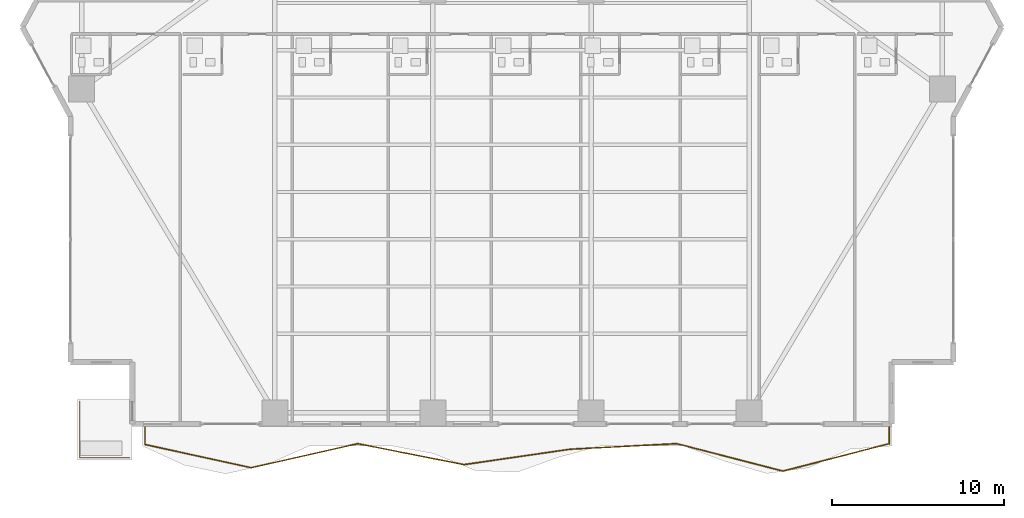
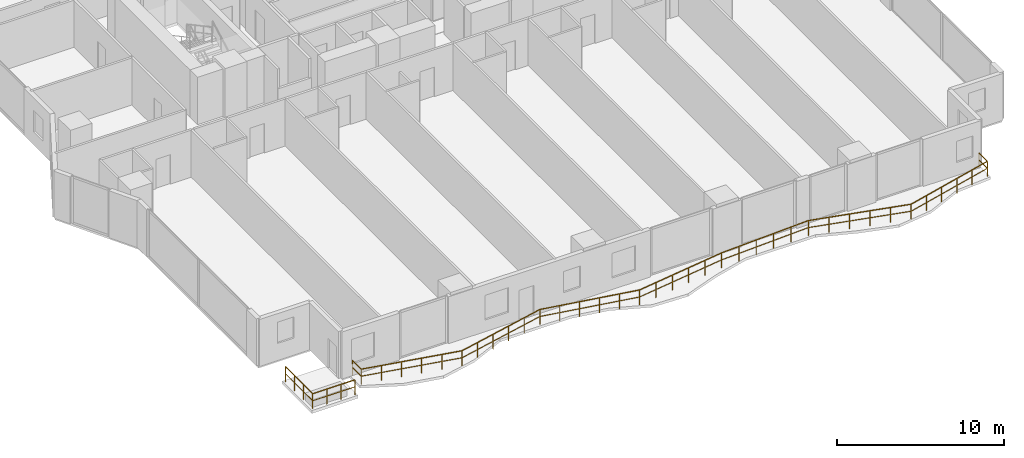
# One storey, part 24 of 28: 2 railings.
"""IFC4 building model written with IfcOpenShell, lengths in metres."""

from ifc_helpers import new_model, si_unit, direction, frame, origin, origin_2d, place, context, subcontext, project, spatial, rectangle, extrude, material, type_object, element, save


model = new_model("IFC4")

# Units and contexts
model_context = context("Model", 3, precision=1e-05, world=origin(), true_north=direction((0.0, 1.0)))
body_context = subcontext(model_context, "Body", "Model", "MODEL_VIEW")
ifc_project = project(units=[si_unit("LENGTHUNIT", "METRE"), si_unit("AREAUNIT", "SQUARE_METRE"), si_unit("VOLUMEUNIT", "CUBIC_METRE"), si_unit("PLANEANGLEUNIT", "RADIAN"), si_unit("MASSUNIT", "GRAM", prefix="KILO")], contexts=[model_context])

# Site, building, storey
site_placement = place(None, origin())
site = spatial("IfcSite", under=ifc_project, at=site_placement, CompositionType="ELEMENT")
building_placement = place(site_placement, origin())
building = spatial("IfcBuilding", under=site, at=building_placement, Name="Zuhayl Quay Hotel", CompositionType="ELEMENT")
storey_placement = place(building_placement, frame((0.0, 0.0, 31.25)))
storey = spatial("IfcBuildingStorey", under=building, at=storey_placement, Name="L06", CompositionType="ELEMENT", Elevation=31.25)

# Railings
ifc_material = material(Name="Anodised Aluminium and Laminated Glass", Category="aluminium")
railing_type = type_object("IfcRailingType", Name="RL_EXT_BAL_1100", PredefinedType="BALUSTRADE", material=ifc_material)
railing_1_placement = place(storey_placement, frame((-21.360107421875, -23.219970703125, 0.0)))
element("IfcRailing", 1, at=railing_1_placement, inside=storey, type_object=railing_type, Name="L06 Balcony and Terrace Guard GR_L06_BAL_S", PredefinedType="BALUSTRADE", context=body_context, shape_type="SweptSolid", body=[
    extrude(rectangle(XDim=0.048095703125, YDim=0.048095703125, at=origin_2d()), frame((0.0, 0.0, 1.09619140625), z_axis=(0.0, -1.0, 0.0), x_axis=(1.0, 0.0, 0.0)), (0.0, 0.0, 1.0), 1.069580078125),
    extrude(rectangle(XDim=0.0361328125, YDim=0.0361328125, at=origin_2d()), frame((0.0, 0.0, 0.58251953125), z_axis=(0.0, -1.0, 0.0), x_axis=(1.0, 0.0, 0.0)), (0.0, 0.0, 1.0), 1.069580078125),
    extrude(rectangle(XDim=0.048095703125, YDim=0.048095703125, at=origin_2d()), frame((0.0, -1.069580078125, 1.09619140625), z_axis=(0.976957056621, -0.213435961165, 0.0), x_axis=(0.213435961165, 0.976957056621, 0.0)), (0.0, 0.0, 1.0), 6.334716796875),
    extrude(rectangle(XDim=0.0361328125, YDim=0.0361328125, at=origin_2d()), frame((0.0, -1.069580078125, 0.58251953125), z_axis=(0.976957056621, -0.213435961165, 0.0), x_axis=(0.213435961165, 0.976957056621, 0.0)), (0.0, 0.0, 1.0), 6.334716796875),
    extrude(rectangle(XDim=0.048095703125, YDim=0.048095703125, at=origin_2d()), frame((6.188720703125, -2.421630859375, 1.09619140625), z_axis=(0.975298130248, 0.220892637121, 0.0), x_axis=(-0.220892637121, 0.975298130248, 0.0)), (0.0, 0.0, 1.0), 6.34521484375),
    extrude(rectangle(XDim=0.0361328125, YDim=0.0361328125, at=origin_2d()), frame((6.188720703125, -2.421630859375, 0.58251953125), z_axis=(0.975298130248, 0.220892637121, 0.0), x_axis=(-0.220892637121, 0.975298130248, 0.0)), (0.0, 0.0, 1.0), 6.34521484375),
    extrude(rectangle(XDim=0.048095703125, YDim=0.048095703125, at=origin_2d()), frame((12.377197265625, -1.02001953125, 1.09619140625), z_axis=(0.981096756072, -0.193517842138, 0.0), x_axis=(0.193517842138, 0.981096756072, 0.0)), (0.0, 0.0, 1.0), 6.307861328125),
    extrude(rectangle(XDim=0.0361328125, YDim=0.0361328125, at=origin_2d()), frame((12.377197265625, -1.02001953125, 0.58251953125), z_axis=(0.981096756072, -0.193517842138, 0.0), x_axis=(0.193517842138, 0.981096756072, 0.0)), (0.0, 0.0, 1.0), 6.307861328125),
    extrude(rectangle(XDim=0.048095703125, YDim=0.048095703125, at=origin_2d()), frame((18.56591796875, -2.24072265625, 1.09619140625), z_axis=(0.989658510612, 0.143443481458, 0.0), x_axis=(-0.143443481458, 0.989658510612, 0.0)), (0.0, 0.0, 1.0), 6.253173828125),
    extrude(rectangle(XDim=0.0361328125, YDim=0.0361328125, at=origin_2d()), frame((18.56591796875, -2.24072265625, 0.58251953125), z_axis=(0.989658510612, 0.143443481458, 0.0), x_axis=(-0.143443481458, 0.989658510612, 0.0)), (0.0, 0.0, 1.0), 6.253173828125),
    extrude(rectangle(XDim=0.048095703125, YDim=0.048095703125, at=origin_2d()), frame((24.75439453125, -1.34375, 1.09619140625), z_axis=(0.99863464611, 0.05223833448, 0.0), x_axis=(-0.05223833448, 0.99863464611, 0.0)), (0.0, 0.0, 1.0), 6.197265625),
    extrude(rectangle(XDim=0.0361328125, YDim=0.0361328125, at=origin_2d()), frame((24.75439453125, -1.34375, 0.58251953125), z_axis=(0.99863464611, 0.05223833448, 0.0), x_axis=(-0.05223833448, 0.99863464611, 0.0)), (0.0, 0.0, 1.0), 6.197265625),
    extrude(rectangle(XDim=0.048095703125, YDim=0.048095703125, at=origin_2d()), frame((30.943115234375, -1.02001953125, 1.09619140625), z_axis=(0.968216478021, -0.250113677532, 0.0), x_axis=(0.250113677532, 0.968216478021, 0.0)), (0.0, 0.0, 1.0), 6.3916015625),
    extrude(rectangle(XDim=0.0361328125, YDim=0.0361328125, at=origin_2d()), frame((30.943115234375, -1.02001953125, 0.58251953125), z_axis=(0.968216478021, -0.250113677532, 0.0), x_axis=(0.250113677532, 0.968216478021, 0.0)), (0.0, 0.0, 1.0), 6.3916015625),
    extrude(rectangle(XDim=0.048095703125, YDim=0.048095703125, at=origin_2d()), frame((37.131591796875, -2.61865234375, 1.09619140625), z_axis=(0.968216478021, 0.250113677532, 0.0), x_axis=(-0.250113677532, 0.968216478021, 0.0)), (0.0, 0.0, 1.0), 6.3916015625),
    extrude(rectangle(XDim=0.0361328125, YDim=0.0361328125, at=origin_2d()), frame((37.131591796875, -2.61865234375, 0.58251953125), z_axis=(0.968216478021, 0.250113677532, 0.0), x_axis=(-0.250113677532, 0.968216478021, 0.0)), (0.0, 0.0, 1.0), 6.3916015625),
    extrude(rectangle(XDim=0.048095703125, YDim=0.048095703125, at=origin_2d()), frame((43.320068359375, -1.02001953125, 1.09619140625), z_axis=(0.0, 1.0, 0.0), x_axis=(-1.0, 0.0, 0.0)), (0.0, 0.0, 1.0), 1.02001953125),
    extrude(rectangle(XDim=0.0361328125, YDim=0.0361328125, at=origin_2d()), frame((43.320068359375, -1.02001953125, 0.58251953125), z_axis=(0.0, 1.0, 0.0), x_axis=(-1.0, 0.0, 0.0)), (0.0, 0.0, 1.0), 1.02001953125),
    extrude(rectangle(XDim=0.0419921875, YDim=0.0419921875, at=origin_2d()), origin(), (0.0, 0.0, 1.0), 1.072021484375),
    extrude(rectangle(XDim=0.0419921875, YDim=0.0419921875, at=origin_2d()), frame((0.0, -1.069580078125, 0.0)), (0.0, 0.0, 1.0), 1.072021484375),
    extrude(rectangle(XDim=0.0419921875, YDim=0.0419921875, at=origin_2d()), frame((1.23779296875, -1.340087890625, 0.0)), (0.0, 0.0, 1.0), 1.072021484375),
    extrude(rectangle(XDim=0.0419921875, YDim=0.0419921875, at=origin_2d()), frame((2.4755859375, -1.6103515625, 0.0)), (0.0, 0.0, 1.0), 1.072021484375),
    extrude(rectangle(XDim=0.0419921875, YDim=0.0419921875, at=origin_2d()), frame((3.713134765625, -1.880859375, 0.0)), (0.0, 0.0, 1.0), 1.072021484375),
    extrude(rectangle(XDim=0.0419921875, YDim=0.0419921875, at=origin_2d()), frame((4.950927734375, -2.151123046875, 0.0)), (0.0, 0.0, 1.0), 1.072021484375),
    extrude(rectangle(XDim=0.0419921875, YDim=0.0419921875, at=origin_2d()), frame((6.188720703125, -2.421630859375, 0.0)), (0.0, 0.0, 1.0), 1.072021484375),
    extrude(rectangle(XDim=0.0419921875, YDim=0.0419921875, at=origin_2d()), frame((7.426513671875, -2.141357421875, 0.0)), (0.0, 0.0, 1.0), 1.072021484375),
    extrude(rectangle(XDim=0.0419921875, YDim=0.0419921875, at=origin_2d()), frame((8.6640625, -1.861083984375, 0.0)), (0.0, 0.0, 1.0), 1.072021484375),
    extrude(rectangle(XDim=0.0419921875, YDim=0.0419921875, at=origin_2d()), frame((9.90185546875, -1.58056640625, 0.0)), (0.0, 0.0, 1.0), 1.072021484375),
    extrude(rectangle(XDim=0.0419921875, YDim=0.0419921875, at=origin_2d()), frame((11.139404296875, -1.30029296875, 0.0)), (0.0, 0.0, 1.0), 1.072021484375),
    extrude(rectangle(XDim=0.0419921875, YDim=0.0419921875, at=origin_2d()), frame((12.377197265625, -1.02001953125, 0.0)), (0.0, 0.0, 1.0), 1.072021484375),
    extrude(rectangle(XDim=0.0419921875, YDim=0.0419921875, at=origin_2d()), frame((13.614990234375, -1.26416015625, 0.0)), (0.0, 0.0, 1.0), 1.072021484375),
    extrude(rectangle(XDim=0.0419921875, YDim=0.0419921875, at=origin_2d()), frame((14.852783203125, -1.50830078125, 0.0)), (0.0, 0.0, 1.0), 1.072021484375),
    extrude(rectangle(XDim=0.0419921875, YDim=0.0419921875, at=origin_2d()), frame((16.09033203125, -1.75244140625, 0.0)), (0.0, 0.0, 1.0), 1.072021484375),
    extrude(rectangle(XDim=0.0419921875, YDim=0.0419921875, at=origin_2d()), frame((17.328125, -1.99658203125, 0.0)), (0.0, 0.0, 1.0), 1.072021484375),
    extrude(rectangle(XDim=0.0419921875, YDim=0.0419921875, at=origin_2d()), frame((18.56591796875, -2.24072265625, 0.0)), (0.0, 0.0, 1.0), 1.072021484375),
    extrude(rectangle(XDim=0.0419921875, YDim=0.0419921875, at=origin_2d()), frame((19.8037109375, -2.061279296875, 0.0)), (0.0, 0.0, 1.0), 1.072021484375),
    extrude(rectangle(XDim=0.0419921875, YDim=0.0419921875, at=origin_2d()), frame((21.041259765625, -1.8818359375, 0.0)), (0.0, 0.0, 1.0), 1.072021484375),
    extrude(rectangle(XDim=0.0419921875, YDim=0.0419921875, at=origin_2d()), frame((22.279052734375, -1.70263671875, 0.0)), (0.0, 0.0, 1.0), 1.072021484375),
    extrude(rectangle(XDim=0.0419921875, YDim=0.0419921875, at=origin_2d()), frame((23.5166015625, -1.523193359375, 0.0)), (0.0, 0.0, 1.0), 1.072021484375),
    extrude(rectangle(XDim=0.0419921875, YDim=0.0419921875, at=origin_2d()), frame((24.75439453125, -1.34375, 0.0)), (0.0, 0.0, 1.0), 1.072021484375),
    extrude(rectangle(XDim=0.0419921875, YDim=0.0419921875, at=origin_2d()), frame((25.9921875, -1.279052734375, 0.0)), (0.0, 0.0, 1.0), 1.072021484375),
    extrude(rectangle(XDim=0.0419921875, YDim=0.0419921875, at=origin_2d()), frame((27.22998046875, -1.21435546875, 0.0)), (0.0, 0.0, 1.0), 1.072021484375),
    extrude(rectangle(XDim=0.0419921875, YDim=0.0419921875, at=origin_2d()), frame((28.467529296875, -1.1494140625, 0.0)), (0.0, 0.0, 1.0), 1.072021484375),
    extrude(rectangle(XDim=0.0419921875, YDim=0.0419921875, at=origin_2d()), frame((29.705322265625, -1.084716796875, 0.0)), (0.0, 0.0, 1.0), 1.072021484375),
    extrude(rectangle(XDim=0.0419921875, YDim=0.0419921875, at=origin_2d()), frame((30.943115234375, -1.02001953125, 0.0)), (0.0, 0.0, 1.0), 1.072021484375),
    extrude(rectangle(XDim=0.0419921875, YDim=0.0419921875, at=origin_2d()), frame((32.180908203125, -1.33984375, 0.0)), (0.0, 0.0, 1.0), 1.072021484375),
    extrude(rectangle(XDim=0.0419921875, YDim=0.0419921875, at=origin_2d()), frame((33.41845703125, -1.659423828125, 0.0)), (0.0, 0.0, 1.0), 1.072021484375),
    extrude(rectangle(XDim=0.0419921875, YDim=0.0419921875, at=origin_2d()), frame((34.65625, -1.979248046875, 0.0)), (0.0, 0.0, 1.0), 1.072021484375),
    extrude(rectangle(XDim=0.0419921875, YDim=0.0419921875, at=origin_2d()), frame((35.893798828125, -2.298828125, 0.0)), (0.0, 0.0, 1.0), 1.072021484375),
    extrude(rectangle(XDim=0.0419921875, YDim=0.0419921875, at=origin_2d()), frame((37.131591796875, -2.61865234375, 0.0)), (0.0, 0.0, 1.0), 1.072021484375),
    extrude(rectangle(XDim=0.0419921875, YDim=0.0419921875, at=origin_2d()), frame((38.369384765625, -2.298828125, 0.0)), (0.0, 0.0, 1.0), 1.072021484375),
    extrude(rectangle(XDim=0.0419921875, YDim=0.0419921875, at=origin_2d()), frame((39.60693359375, -1.979248046875, 0.0)), (0.0, 0.0, 1.0), 1.072021484375),
    extrude(rectangle(XDim=0.0419921875, YDim=0.0419921875, at=origin_2d()), frame((40.8447265625, -1.659423828125, 0.0)), (0.0, 0.0, 1.0), 1.072021484375),
    extrude(rectangle(XDim=0.0419921875, YDim=0.0419921875, at=origin_2d()), frame((42.082275390625, -1.33984375, 0.0)), (0.0, 0.0, 1.0), 1.072021484375),
    extrude(rectangle(XDim=0.0419921875, YDim=0.0419921875, at=origin_2d()), frame((43.320068359375, -1.02001953125, 0.0)), (0.0, 0.0, 1.0), 1.072021484375),
    extrude(rectangle(XDim=0.0419921875, YDim=0.0419921875, at=origin_2d()), frame((43.320068359375, 0.0, 0.0)), (0.0, 0.0, 1.0), 1.072021484375),
])
railing_2_placement = place(storey_placement, frame((-25.159912109375, -21.7900390625, 0.0)))
element("IfcRailing", 2, at=railing_2_placement, inside=storey, type_object=railing_type, Name="L06 Balcony and Terrace Guard GR_L06_SPIRAL_SW", PredefinedType="BALUSTRADE", context=body_context, shape_type="SweptSolid", body=[
    extrude(rectangle(XDim=0.048095703125, YDim=0.048095703125, at=origin_2d()), frame((0.0, 0.0, 1.09619140625), z_axis=(0.0, -1.0, 0.0), x_axis=(1.0, 0.0, 0.0)), (0.0, 0.0, 1.0), 3.27001953125),
    extrude(rectangle(XDim=0.0361328125, YDim=0.0361328125, at=origin_2d()), frame((0.0, 0.0, 0.58251953125), z_axis=(0.0, -1.0, 0.0), x_axis=(1.0, 0.0, 0.0)), (0.0, 0.0, 1.0), 3.27001953125),
    extrude(rectangle(XDim=0.048095703125, YDim=0.048095703125, at=origin_2d()), frame((0.0, -3.27001953125, 1.09619140625), z_axis=(1.0, 0.0, 0.0), x_axis=(0.0, 1.0, 0.0)), (0.0, 0.0, 1.0), 2.919921875),
    extrude(rectangle(XDim=0.0361328125, YDim=0.0361328125, at=origin_2d()), frame((0.0, -3.27001953125, 0.58251953125), z_axis=(1.0, 0.0, 0.0), x_axis=(0.0, 1.0, 0.0)), (0.0, 0.0, 1.0), 2.919921875),
    extrude(rectangle(XDim=0.0419921875, YDim=0.0419921875, at=origin_2d()), origin(), (0.0, 0.0, 1.0), 1.072021484375),
    extrude(rectangle(XDim=0.0419921875, YDim=0.0419921875, at=origin_2d()), frame((0.0, -1.090087890625, 0.0)), (0.0, 0.0, 1.0), 1.072021484375),
    extrude(rectangle(XDim=0.0419921875, YDim=0.0419921875, at=origin_2d()), frame((0.0, -2.179931640625, 0.0)), (0.0, 0.0, 1.0), 1.072021484375),
    extrude(rectangle(XDim=0.0419921875, YDim=0.0419921875, at=origin_2d()), frame((0.0, -3.27001953125, 0.0)), (0.0, 0.0, 1.0), 1.072021484375),
    extrude(rectangle(XDim=0.0419921875, YDim=0.0419921875, at=origin_2d()), frame((0.973388671875, -3.27001953125, 0.0)), (0.0, 0.0, 1.0), 1.072021484375),
    extrude(rectangle(XDim=0.0419921875, YDim=0.0419921875, at=origin_2d()), frame((1.946533203125, -3.27001953125, 0.0)), (0.0, 0.0, 1.0), 1.072021484375),
    extrude(rectangle(XDim=0.0419921875, YDim=0.0419921875, at=origin_2d()), frame((2.919921875, -3.27001953125, 0.0)), (0.0, 0.0, 1.0), 1.072021484375),
])

save(model, "model.ifc")
